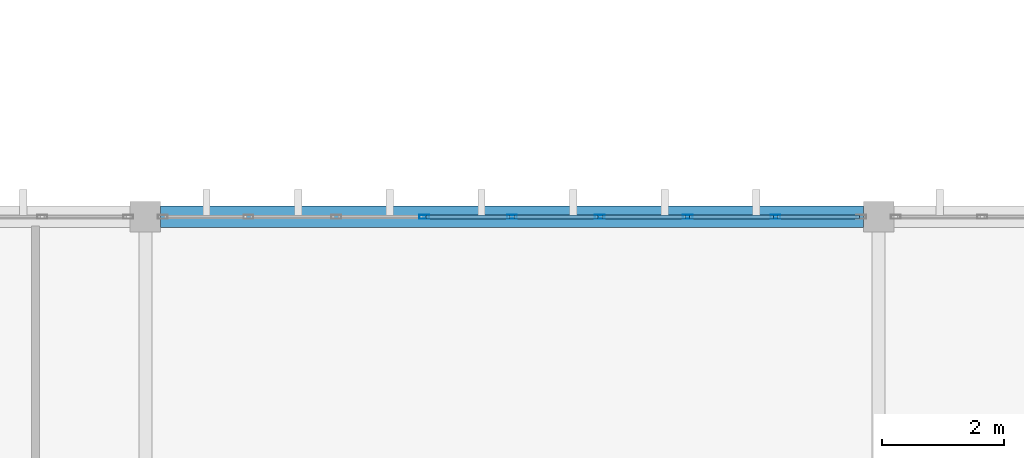
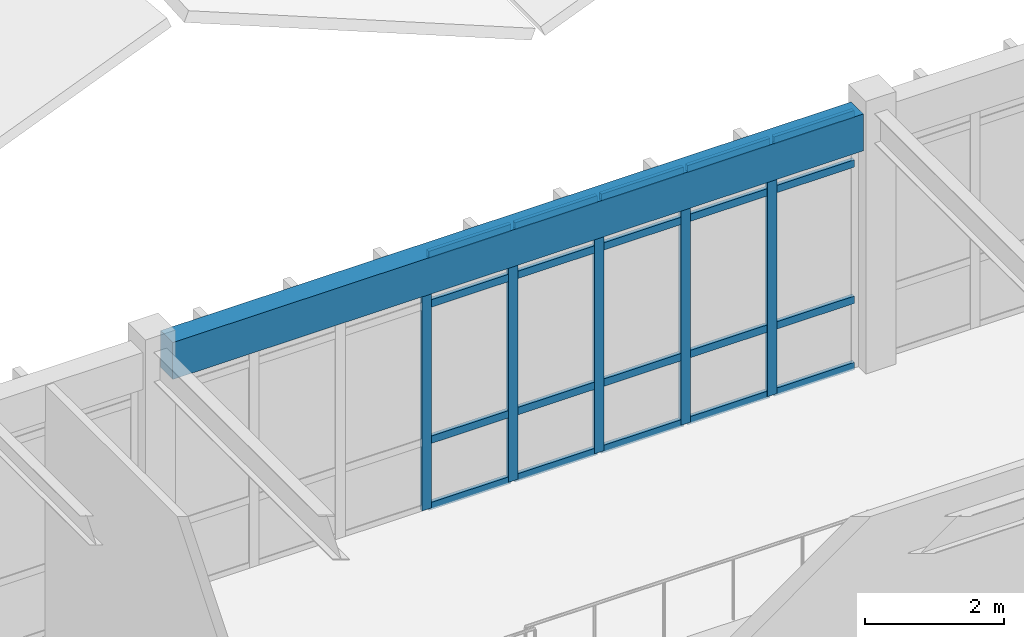
# One storey, part 21 of 236: 25 members, 1 beam, 1 element without a shape of its own.
"""IFC4 building model written with IfcOpenShell, lengths in metres."""

from ifc_helpers import new_model, si_unit, direction, frame, origin, origin_2d, place, context, subcontext, project, spatial, rectangle, hollow_rectangle, extrude, material, layer, layer_set, material_profile, profile_set, type_object, element, aggregate, save


model = new_model("IFC4")

# Units and contexts
model_context = context("Model", 3, precision=1e-05, world=origin(), true_north=direction((0.0, 1.0)))
body_context = subcontext(model_context, "Body", "Model", "MODEL_VIEW")
ifc_project = project(units=[si_unit("LENGTHUNIT", "METRE"), si_unit("AREAUNIT", "SQUARE_METRE"), si_unit("VOLUMEUNIT", "CUBIC_METRE"), si_unit("PLANEANGLEUNIT", "RADIAN"), si_unit("MASSUNIT", "GRAM", prefix="KILO")], contexts=[model_context])

# Site, building, storey
site_placement = place(None, origin())
site = spatial("IfcSite", under=ifc_project, at=site_placement, CompositionType="ELEMENT")
building_placement = place(site_placement, origin())
building = spatial("IfcBuilding", under=site, at=building_placement, Name="Pandanus Reach Market Hall", CompositionType="ELEMENT")
storey_placement = place(building_placement, frame((0.0, 0.0, 5.39990234375)))
storey = spatial("IfcBuildingStorey", under=building, at=storey_placement, Name="L01", CompositionType="ELEMENT", Elevation=5.39990234375)

# Beam
ifc_material_1 = material(Name="Concrete N40 (40 MPa)", Category="concrete")
ifc_material_profile_1 = material_profile(ifc_material_1, rectangle(XDim=0.35009765625, YDim=0.64990234375, at=origin_2d()), Name="RC350x650", Category="LoadBearing")
ifc_profile_set_1 = profile_set([ifc_material_profile_1], Name="Concrete N40 (40 MPa)")
beam_type = type_object("IfcBeamType", Name="BM-RC350-E", PredefinedType="SPANDREL", material=ifc_profile_set_1)
beam_placement = place(storey_placement, frame((12.248046875, 28.800048828125, 4.210205078125), z_axis=(1.0, 0.0, 0.0), x_axis=(0.0, 1.0, 0.0)))
element("IfcBeam", 1, at=beam_placement, inside=storey, type_object=beam_type, Name="Framing beam BM-RC350-E L01.976", PredefinedType="SPANDREL", context=body_context, shape_type="SweptSolid", body=[
    extrude(rectangle(XDim=0.35009765625, YDim=0.64990234375, at=origin_2d()), origin(), (0.0, 0.0, 1.0), 11.50390625),
])

# Curtain wall, members
ifc_material_2 = material(Name="Bronze anodised aluminium and low-E glass", Category="aluminium")
ifc_layer = layer(ifc_material_2, 0.159912109375, Name="CW-17")
ifc_layer_set = layer_set([ifc_layer], Name="Bronze anodised aluminium and low-E glass")
curtain_wall_type = type_object("IfcCurtainWallType", Name="CW-17", PredefinedType="NOTDEFINED", material=ifc_layer_set)
curtain_wall_placement = place(storey_placement, origin())
curtain_wall = element("IfcCurtainWall", 2, at=curtain_wall_placement, inside=storey, type_object=curtain_wall_type, Name="Glazed curtain wall CW-17 CW-0058", PredefinedType="NOTDEFINED")
ifc_material_3 = material(Name="Bronze anodised aluminium", Category="aluminium")
ifc_material_profile_2 = material_profile(ifc_material_3, hollow_rectangle(XDim=0.06494140625, YDim=0.159912109375, WallThickness=0.00390625, at=origin_2d()), Name="ALU65x160", Category="LoadBearing")
ifc_profile_set_2 = profile_set([ifc_material_profile_2], Name="Bronze anodised aluminium")
member_type_1 = type_object("IfcMemberType", Name="CW-M1", PredefinedType="MULLION", material=ifc_profile_set_2)
member_1_placement = place(storey_placement, frame((16.5625, 28.800048828125, 0.0), z_axis=(0.0, 0.0, 1.0), x_axis=(0.0, 1.0, 0.0)))
member_1 = element("IfcMember", 3, at=member_1_placement, type_object=member_type_1, Name="CW-17 mullion 4", PredefinedType="MULLION", context=body_context, shape_type="SweptSolid", body=[
    extrude(hollow_rectangle(XDim=0.06494140625, YDim=0.159912109375, WallThickness=0.00390625, at=origin_2d()), origin(), (0.0, 0.0, 1.0), 4.5),
])
member_2_placement = place(storey_placement, frame((18.0, 28.800048828125, 0.0), z_axis=(0.0, 0.0, 1.0), x_axis=(0.0, 1.0, 0.0)))
member_2 = element("IfcMember", 4, at=member_2_placement, type_object=member_type_1, Name="CW-17 mullion 5", PredefinedType="MULLION", context=body_context, shape_type="SweptSolid", body=[
    extrude(hollow_rectangle(XDim=0.06494140625, YDim=0.159912109375, WallThickness=0.00390625, at=origin_2d()), origin(), (0.0, 0.0, 1.0), 4.5),
])
member_3_placement = place(storey_placement, frame((19.4375, 28.800048828125, 0.0), z_axis=(0.0, 0.0, 1.0), x_axis=(0.0, 1.0, 0.0)))
member_3 = element("IfcMember", 5, at=member_3_placement, type_object=member_type_1, Name="CW-17 mullion 6", PredefinedType="MULLION", context=body_context, shape_type="SweptSolid", body=[
    extrude(hollow_rectangle(XDim=0.06494140625, YDim=0.159912109375, WallThickness=0.00390625, at=origin_2d()), origin(), (0.0, 0.0, 1.0), 4.5),
])
member_4_placement = place(storey_placement, frame((20.875, 28.800048828125, 0.0), z_axis=(0.0, 0.0, 1.0), x_axis=(0.0, 1.0, 0.0)))
member_4 = element("IfcMember", 6, at=member_4_placement, type_object=member_type_1, Name="CW-17 mullion 7", PredefinedType="MULLION", context=body_context, shape_type="SweptSolid", body=[
    extrude(hollow_rectangle(XDim=0.06494140625, YDim=0.159912109375, WallThickness=0.00390625, at=origin_2d()), origin(), (0.0, 0.0, 1.0), 4.5),
])
member_5_placement = place(storey_placement, frame((22.3125, 28.800048828125, 0.0), z_axis=(0.0, 0.0, 1.0), x_axis=(0.0, 1.0, 0.0)))
member_5 = element("IfcMember", 7, at=member_5_placement, type_object=member_type_1, Name="CW-17 mullion 8", PredefinedType="MULLION", context=body_context, shape_type="SweptSolid", body=[
    extrude(hollow_rectangle(XDim=0.06494140625, YDim=0.159912109375, WallThickness=0.00390625, at=origin_2d()), origin(), (0.0, 0.0, 1.0), 4.5),
])
ifc_material_profile_3 = material_profile(ifc_material_3, hollow_rectangle(XDim=0.06494140625, YDim=0.1298828125, WallThickness=0.00390625, at=origin_2d()), Name="ALU65x130", Category="LoadBearing")
ifc_profile_set_3 = profile_set([ifc_material_profile_3], Name="Bronze anodised aluminium")
member_type_2 = type_object("IfcMemberType", Name="CW-T1", PredefinedType="USERDEFINED", material=ifc_profile_set_3)
member_6_placement = place(storey_placement, frame((16.594970703125, 28.800048828125, 0.03271484375), z_axis=(1.0, 0.0, 0.0), x_axis=(0.0, 1.0, 0.0)))
member_6 = element("IfcMember", 8, at=member_6_placement, type_object=member_type_2, Name="CW-17 transom 4.1", ObjectType="TRANSOM", PredefinedType="USERDEFINED", context=body_context, shape_type="SweptSolid", body=[
    extrude(hollow_rectangle(XDim=0.06494140625, YDim=0.1298828125, WallThickness=0.00390625, at=origin_2d()), origin(), (0.0, 0.0, 1.0), 1.37255859375),
])
member_7_placement = place(storey_placement, frame((16.594970703125, 28.800048828125, 1.2001953125), z_axis=(1.0, 0.0, 0.0), x_axis=(0.0, 1.0, 0.0)))
member_7 = element("IfcMember", 9, at=member_7_placement, type_object=member_type_2, Name="CW-17 transom 4.2", ObjectType="TRANSOM", PredefinedType="USERDEFINED", context=body_context, shape_type="SweptSolid", body=[
    extrude(hollow_rectangle(XDim=0.06494140625, YDim=0.1298828125, WallThickness=0.00390625, at=origin_2d()), origin(), (0.0, 0.0, 1.0), 1.37255859375),
])
member_8_placement = place(storey_placement, frame((16.594970703125, 28.800048828125, 3.60009765625), z_axis=(1.0, 0.0, 0.0), x_axis=(0.0, 1.0, 0.0)))
member_8 = element("IfcMember", 10, at=member_8_placement, type_object=member_type_2, Name="CW-17 transom 4.3", ObjectType="TRANSOM", PredefinedType="USERDEFINED", context=body_context, shape_type="SweptSolid", body=[
    extrude(hollow_rectangle(XDim=0.06494140625, YDim=0.1298828125, WallThickness=0.00390625, at=origin_2d()), origin(), (0.0, 0.0, 1.0), 1.37255859375),
])
member_9_placement = place(storey_placement, frame((16.594970703125, 28.800048828125, 4.467529296875), z_axis=(1.0, 0.0, 0.0), x_axis=(0.0, 1.0, 0.0)))
member_9 = element("IfcMember", 11, at=member_9_placement, type_object=member_type_2, Name="CW-17 transom 4.4", ObjectType="TRANSOM", PredefinedType="USERDEFINED", context=body_context, shape_type="SweptSolid", body=[
    extrude(hollow_rectangle(XDim=0.06494140625, YDim=0.1298828125, WallThickness=0.00390625, at=origin_2d()), origin(), (0.0, 0.0, 1.0), 1.37255859375),
])
member_10_placement = place(storey_placement, frame((18.032470703125, 28.800048828125, 0.03271484375), z_axis=(1.0, 0.0, 0.0), x_axis=(0.0, 1.0, 0.0)))
member_10 = element("IfcMember", 12, at=member_10_placement, type_object=member_type_2, Name="CW-17 transom 5.1", ObjectType="TRANSOM", PredefinedType="USERDEFINED", context=body_context, shape_type="SweptSolid", body=[
    extrude(hollow_rectangle(XDim=0.06494140625, YDim=0.1298828125, WallThickness=0.00390625, at=origin_2d()), origin(), (0.0, 0.0, 1.0), 1.37255859375),
])
member_11_placement = place(storey_placement, frame((18.032470703125, 28.800048828125, 1.2001953125), z_axis=(1.0, 0.0, 0.0), x_axis=(0.0, 1.0, 0.0)))
member_11 = element("IfcMember", 13, at=member_11_placement, type_object=member_type_2, Name="CW-17 transom 5.2", ObjectType="TRANSOM", PredefinedType="USERDEFINED", context=body_context, shape_type="SweptSolid", body=[
    extrude(hollow_rectangle(XDim=0.06494140625, YDim=0.1298828125, WallThickness=0.00390625, at=origin_2d()), origin(), (0.0, 0.0, 1.0), 1.37255859375),
])
member_12_placement = place(storey_placement, frame((18.032470703125, 28.800048828125, 3.60009765625), z_axis=(1.0, 0.0, 0.0), x_axis=(0.0, 1.0, 0.0)))
member_12 = element("IfcMember", 14, at=member_12_placement, type_object=member_type_2, Name="CW-17 transom 5.3", ObjectType="TRANSOM", PredefinedType="USERDEFINED", context=body_context, shape_type="SweptSolid", body=[
    extrude(hollow_rectangle(XDim=0.06494140625, YDim=0.1298828125, WallThickness=0.00390625, at=origin_2d()), origin(), (0.0, 0.0, 1.0), 1.37255859375),
])
member_13_placement = place(storey_placement, frame((18.032470703125, 28.800048828125, 4.467529296875), z_axis=(1.0, 0.0, 0.0), x_axis=(0.0, 1.0, 0.0)))
member_13 = element("IfcMember", 15, at=member_13_placement, type_object=member_type_2, Name="CW-17 transom 5.4", ObjectType="TRANSOM", PredefinedType="USERDEFINED", context=body_context, shape_type="SweptSolid", body=[
    extrude(hollow_rectangle(XDim=0.06494140625, YDim=0.1298828125, WallThickness=0.00390625, at=origin_2d()), origin(), (0.0, 0.0, 1.0), 1.37255859375),
])
member_14_placement = place(storey_placement, frame((19.469970703125, 28.800048828125, 0.03271484375), z_axis=(1.0, 0.0, 0.0), x_axis=(0.0, 1.0, 0.0)))
member_14 = element("IfcMember", 16, at=member_14_placement, type_object=member_type_2, Name="CW-17 transom 6.1", ObjectType="TRANSOM", PredefinedType="USERDEFINED", context=body_context, shape_type="SweptSolid", body=[
    extrude(hollow_rectangle(XDim=0.06494140625, YDim=0.1298828125, WallThickness=0.00390625, at=origin_2d()), origin(), (0.0, 0.0, 1.0), 1.37255859375),
])
member_15_placement = place(storey_placement, frame((19.469970703125, 28.800048828125, 1.2001953125), z_axis=(1.0, 0.0, 0.0), x_axis=(0.0, 1.0, 0.0)))
member_15 = element("IfcMember", 17, at=member_15_placement, type_object=member_type_2, Name="CW-17 transom 6.2", ObjectType="TRANSOM", PredefinedType="USERDEFINED", context=body_context, shape_type="SweptSolid", body=[
    extrude(hollow_rectangle(XDim=0.06494140625, YDim=0.1298828125, WallThickness=0.00390625, at=origin_2d()), origin(), (0.0, 0.0, 1.0), 1.37255859375),
])
member_16_placement = place(storey_placement, frame((19.469970703125, 28.800048828125, 3.60009765625), z_axis=(1.0, 0.0, 0.0), x_axis=(0.0, 1.0, 0.0)))
member_16 = element("IfcMember", 18, at=member_16_placement, type_object=member_type_2, Name="CW-17 transom 6.3", ObjectType="TRANSOM", PredefinedType="USERDEFINED", context=body_context, shape_type="SweptSolid", body=[
    extrude(hollow_rectangle(XDim=0.06494140625, YDim=0.1298828125, WallThickness=0.00390625, at=origin_2d()), origin(), (0.0, 0.0, 1.0), 1.37255859375),
])
member_17_placement = place(storey_placement, frame((19.469970703125, 28.800048828125, 4.467529296875), z_axis=(1.0, 0.0, 0.0), x_axis=(0.0, 1.0, 0.0)))
member_17 = element("IfcMember", 19, at=member_17_placement, type_object=member_type_2, Name="CW-17 transom 6.4", ObjectType="TRANSOM", PredefinedType="USERDEFINED", context=body_context, shape_type="SweptSolid", body=[
    extrude(hollow_rectangle(XDim=0.06494140625, YDim=0.1298828125, WallThickness=0.00390625, at=origin_2d()), origin(), (0.0, 0.0, 1.0), 1.37255859375),
])
member_18_placement = place(storey_placement, frame((20.907470703125, 28.800048828125, 0.03271484375), z_axis=(1.0, 0.0, 0.0), x_axis=(0.0, 1.0, 0.0)))
member_18 = element("IfcMember", 20, at=member_18_placement, type_object=member_type_2, Name="CW-17 transom 7.1", ObjectType="TRANSOM", PredefinedType="USERDEFINED", context=body_context, shape_type="SweptSolid", body=[
    extrude(hollow_rectangle(XDim=0.06494140625, YDim=0.1298828125, WallThickness=0.00390625, at=origin_2d()), origin(), (0.0, 0.0, 1.0), 1.37255859375),
])
member_19_placement = place(storey_placement, frame((20.907470703125, 28.800048828125, 1.2001953125), z_axis=(1.0, 0.0, 0.0), x_axis=(0.0, 1.0, 0.0)))
member_19 = element("IfcMember", 21, at=member_19_placement, type_object=member_type_2, Name="CW-17 transom 7.2", ObjectType="TRANSOM", PredefinedType="USERDEFINED", context=body_context, shape_type="SweptSolid", body=[
    extrude(hollow_rectangle(XDim=0.06494140625, YDim=0.1298828125, WallThickness=0.00390625, at=origin_2d()), origin(), (0.0, 0.0, 1.0), 1.37255859375),
])
member_20_placement = place(storey_placement, frame((20.907470703125, 28.800048828125, 3.60009765625), z_axis=(1.0, 0.0, 0.0), x_axis=(0.0, 1.0, 0.0)))
member_20 = element("IfcMember", 22, at=member_20_placement, type_object=member_type_2, Name="CW-17 transom 7.3", ObjectType="TRANSOM", PredefinedType="USERDEFINED", context=body_context, shape_type="SweptSolid", body=[
    extrude(hollow_rectangle(XDim=0.06494140625, YDim=0.1298828125, WallThickness=0.00390625, at=origin_2d()), origin(), (0.0, 0.0, 1.0), 1.37255859375),
])
member_21_placement = place(storey_placement, frame((20.907470703125, 28.800048828125, 4.467529296875), z_axis=(1.0, 0.0, 0.0), x_axis=(0.0, 1.0, 0.0)))
member_21 = element("IfcMember", 23, at=member_21_placement, type_object=member_type_2, Name="CW-17 transom 7.4", ObjectType="TRANSOM", PredefinedType="USERDEFINED", context=body_context, shape_type="SweptSolid", body=[
    extrude(hollow_rectangle(XDim=0.06494140625, YDim=0.1298828125, WallThickness=0.00390625, at=origin_2d()), origin(), (0.0, 0.0, 1.0), 1.37255859375),
])
member_22_placement = place(storey_placement, frame((22.344970703125, 28.800048828125, 0.03271484375), z_axis=(1.0, 0.0, 0.0), x_axis=(0.0, 1.0, 0.0)))
member_22 = element("IfcMember", 24, at=member_22_placement, type_object=member_type_2, Name="CW-17 transom 8.1", ObjectType="TRANSOM", PredefinedType="USERDEFINED", context=body_context, shape_type="SweptSolid", body=[
    extrude(hollow_rectangle(XDim=0.06494140625, YDim=0.1298828125, WallThickness=0.00390625, at=origin_2d()), origin(), (0.0, 0.0, 1.0), 1.340087890625),
])
member_23_placement = place(storey_placement, frame((22.344970703125, 28.800048828125, 1.2001953125), z_axis=(1.0, 0.0, 0.0), x_axis=(0.0, 1.0, 0.0)))
member_23 = element("IfcMember", 25, at=member_23_placement, type_object=member_type_2, Name="CW-17 transom 8.2", ObjectType="TRANSOM", PredefinedType="USERDEFINED", context=body_context, shape_type="SweptSolid", body=[
    extrude(hollow_rectangle(XDim=0.06494140625, YDim=0.1298828125, WallThickness=0.00390625, at=origin_2d()), origin(), (0.0, 0.0, 1.0), 1.340087890625),
])
member_24_placement = place(storey_placement, frame((22.344970703125, 28.800048828125, 3.60009765625), z_axis=(1.0, 0.0, 0.0), x_axis=(0.0, 1.0, 0.0)))
member_24 = element("IfcMember", 26, at=member_24_placement, type_object=member_type_2, Name="CW-17 transom 8.3", ObjectType="TRANSOM", PredefinedType="USERDEFINED", context=body_context, shape_type="SweptSolid", body=[
    extrude(hollow_rectangle(XDim=0.06494140625, YDim=0.1298828125, WallThickness=0.00390625, at=origin_2d()), origin(), (0.0, 0.0, 1.0), 1.340087890625),
])
member_25_placement = place(storey_placement, frame((22.344970703125, 28.800048828125, 4.467529296875), z_axis=(1.0, 0.0, 0.0), x_axis=(0.0, 1.0, 0.0)))
member_25 = element("IfcMember", 27, at=member_25_placement, type_object=member_type_2, Name="CW-17 transom 8.4", ObjectType="TRANSOM", PredefinedType="USERDEFINED", context=body_context, shape_type="SweptSolid", body=[
    extrude(hollow_rectangle(XDim=0.06494140625, YDim=0.1298828125, WallThickness=0.00390625, at=origin_2d()), origin(), (0.0, 0.0, 1.0), 1.340087890625),
])
aggregate(curtain_wall, [member_1, member_2, member_3, member_4, member_5, member_6, member_7, member_8, member_9, member_10, member_11, member_12, member_13, member_14, member_15, member_16, member_17, member_18, member_19, member_20, member_21, member_22, member_23, member_24, member_25])

save(model, "model.ifc")
